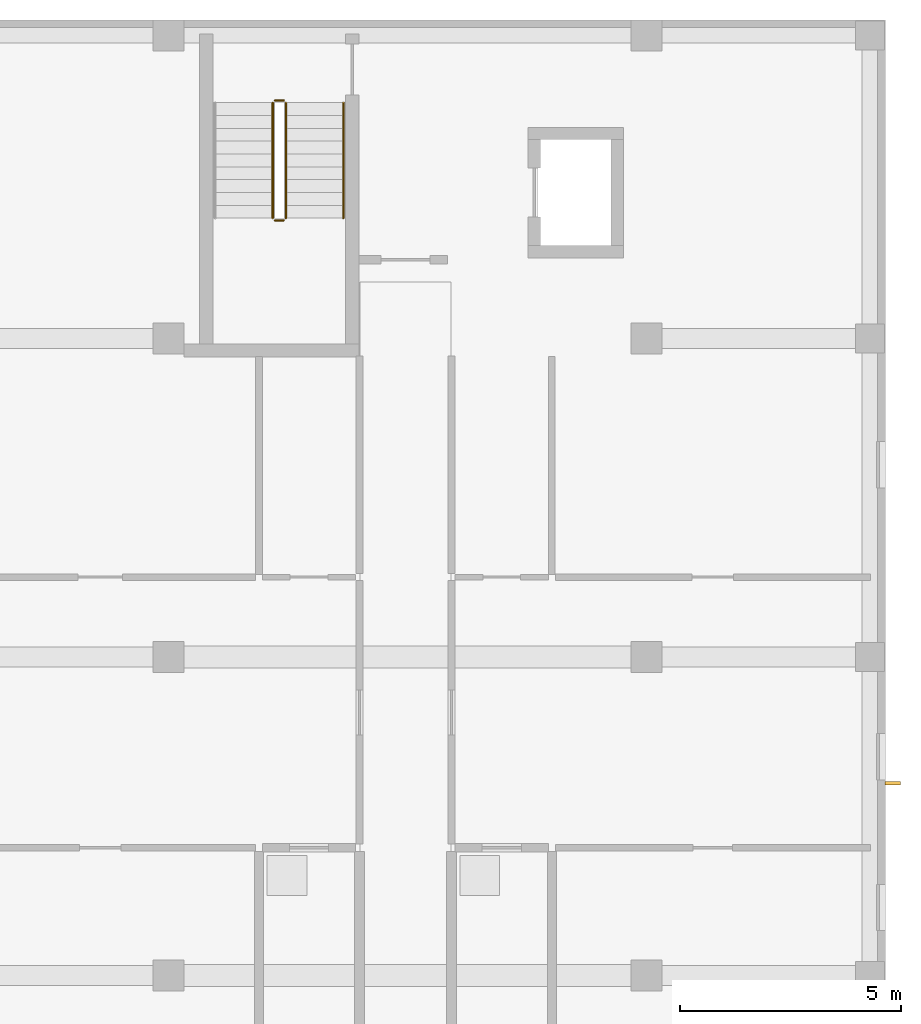
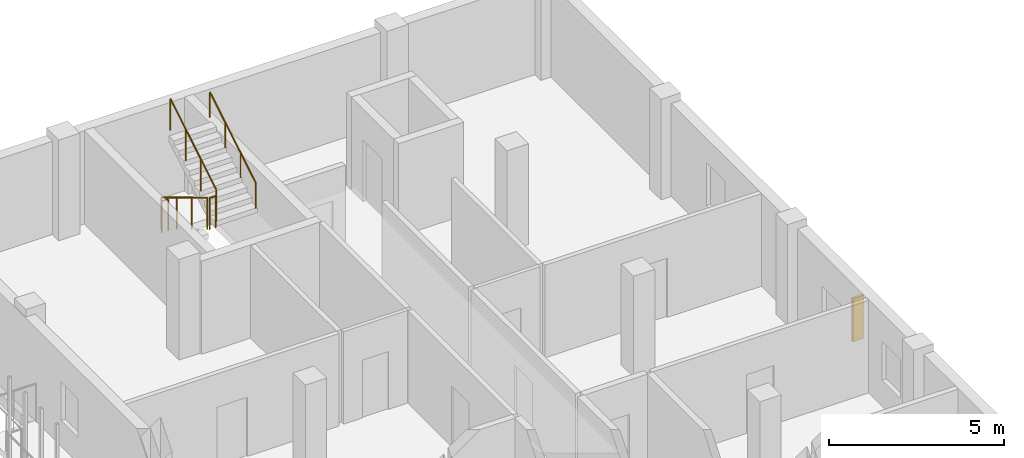
# One storey, part 71 of 73: 5 railings, 1 shading device.
"""IFC4 building model written with IfcOpenShell, lengths in metres."""

from ifc_helpers import new_model, si_unit, derived_unit, direction, frame, origin, origin_2d, place, context, subcontext, project, spatial, rectangle, circle, extrude, material, type_object, element, save


model = new_model("IFC4")

# Units and contexts
model_context = context("Model", 3, precision=1e-05, world=origin(), true_north=direction((0.0, 1.0)))
body_context = subcontext(model_context, "Body", "Model", "MODEL_VIEW")
ifc_project = project(units=[si_unit("LENGTHUNIT", "METRE"), si_unit("AREAUNIT", "SQUARE_METRE"), si_unit("VOLUMEUNIT", "CUBIC_METRE"), si_unit("PLANEANGLEUNIT", "RADIAN"), si_unit("MASSUNIT", "GRAM", prefix="KILO"), derived_unit("THERMALTRANSMITTANCEUNIT", [(si_unit("MASSUNIT", "GRAM", prefix="KILO"), 1), (si_unit("TIMEUNIT", "SECOND"), -3), (si_unit("THERMODYNAMICTEMPERATUREUNIT", "KELVIN"), -1)])], contexts=[model_context])

# Site, building, storey
site_placement = place(None, origin())
site = spatial("IfcSite", under=ifc_project, at=site_placement, CompositionType="ELEMENT")
building_placement = place(site_placement, origin())
building = spatial("IfcBuilding", under=site, at=building_placement, Name="Ochrekiln Boulevard Commons", CompositionType="ELEMENT")
storey_placement = place(building_placement, frame((0.0, 0.0, 8.574951171875)))
storey = spatial("IfcBuildingStorey", under=building, at=storey_placement, Name="L02", CompositionType="ELEMENT", Elevation=8.574951171875)

# Railings
ifc_material_1 = material(Name="Brushed stainless steel 316 tubular railing", Category="steel")
railing_type_1 = type_object("IfcRailingType", Name="RLG-HDR-900", PredefinedType="HANDRAIL", material=ifc_material_1)
railing_1_placement = place(storey_placement, frame((160.550048828125, 114.320068359375, 1.925048828125)))
element("IfcRailing", 1, at=railing_1_placement, inside=storey, type_object=railing_type_1, Name="L02 ST-B2 stair handrail 2", PredefinedType="HANDRAIL", context=body_context, shape_type="SweptSolid", body=[
    extrude(circle(Radius=0.02392578125, at=origin_2d()), frame((0.0, 0.0, 0.8759765625), z_axis=(0.0, 0.85618277418, 0.516673066065), x_axis=(-1.0, 0.0, 0.0)), (0.0, 0.0, 1.0), 3.04833984375),
    extrude(circle(Radius=0.02099609375, at=origin_2d()), origin(), (0.0, 0.0, 1.0), 0.851806640625),
    extrude(circle(Radius=0.02099609375, at=origin_2d()), frame((0.0, 0.869873046875, 0.52490234375)), (0.0, 0.0, 1.0), 0.851806640625),
    extrude(circle(Radius=0.02099609375, at=origin_2d()), frame((0.0, 1.739990234375, 1.050048828125)), (0.0, 0.0, 1.0), 0.851806640625),
    extrude(circle(Radius=0.02099609375, at=origin_2d()), frame((0.0, 2.60986328125, 1.574951171875)), (0.0, 0.0, 1.0), 0.851806640625),
])
railing_type_2 = type_object("IfcRailingType", Name="RLG-STR-1120", PredefinedType="BALUSTRADE", material=ifc_material_1)
railing_2_placement = place(storey_placement, frame((158.949951171875, 116.929931640625, 0.175048828125)))
element("IfcRailing", 2, at=railing_2_placement, inside=storey, type_object=railing_type_2, Name="L02 ST-B2 stair guard 1", PredefinedType="BALUSTRADE", context=body_context, shape_type="SweptSolid", body=[
    extrude(circle(Radius=0.02392578125, at=origin_2d()), frame((0.0, 0.0, 1.09619140625), z_axis=(0.0, -0.85618277418, 0.516673066065), x_axis=(1.0, 0.0, 0.0)), (0.0, 0.0, 1.0), 3.04833984375),
    extrude(circle(Radius=0.02099609375, at=origin_2d()), origin(), (0.0, 0.0, 1.0), 1.072021484375),
    extrude(circle(Radius=0.02099609375, at=origin_2d()), frame((0.0, -0.869873046875, 0.52490234375)), (0.0, 0.0, 1.0), 1.072021484375),
    extrude(circle(Radius=0.02099609375, at=origin_2d()), frame((0.0, -1.739990234375, 1.050048828125)), (0.0, 0.0, 1.0), 1.072021484375),
    extrude(circle(Radius=0.02099609375, at=origin_2d()), frame((0.0, -2.60986328125, 1.574951171875)), (0.0, 0.0, 1.0), 1.072021484375),
])
railing_3_placement = place(storey_placement, frame((159.0, 114.27001953125, 1.75)))
element("IfcRailing", 3, at=railing_3_placement, inside=storey, type_object=railing_type_2, Name="L02 ST-B2 stair guard 2", PredefinedType="BALUSTRADE", context=body_context, shape_type="SweptSolid", body=[
    extrude(circle(Radius=0.02392578125, at=origin_2d()), frame((0.0, 0.0, 1.09619140625), z_axis=(1.0, 0.0, 0.0), x_axis=(0.0, 1.0, 0.0)), (0.0, 0.0, 1.0), 0.199951171875),
    extrude(circle(Radius=0.02099609375, at=origin_2d()), origin(), (0.0, 0.0, 1.0), 1.072021484375),
    extrude(circle(Radius=0.02099609375, at=origin_2d()), frame((0.199951171875, 0.0, 0.0)), (0.0, 0.0, 1.0), 1.072021484375),
])
railing_4_placement = place(storey_placement, frame((159.25, 114.320068359375, 1.925048828125)))
element("IfcRailing", 4, at=railing_4_placement, inside=storey, type_object=railing_type_2, Name="L02 ST-B2 stair guard 3", PredefinedType="BALUSTRADE", context=body_context, shape_type="SweptSolid", body=[
    extrude(circle(Radius=0.02392578125, at=origin_2d()), frame((0.0, 0.0, 1.09619140625), z_axis=(0.0, 0.85618277418, 0.516673066065), x_axis=(-1.0, 0.0, 0.0)), (0.0, 0.0, 1.0), 3.04833984375),
    extrude(circle(Radius=0.02099609375, at=origin_2d()), origin(), (0.0, 0.0, 1.0), 1.072021484375),
    extrude(circle(Radius=0.02099609375, at=origin_2d()), frame((0.0, 0.869873046875, 0.52490234375)), (0.0, 0.0, 1.0), 1.072021484375),
    extrude(circle(Radius=0.02099609375, at=origin_2d()), frame((0.0, 1.739990234375, 1.050048828125)), (0.0, 0.0, 1.0), 1.072021484375),
    extrude(circle(Radius=0.02099609375, at=origin_2d()), frame((0.0, 2.60986328125, 1.574951171875)), (0.0, 0.0, 1.0), 1.072021484375),
])
railing_5_placement = place(storey_placement, frame((159.0, 116.97998046875, 0.0)))
element("IfcRailing", 5, at=railing_5_placement, inside=storey, type_object=railing_type_2, Name="L02 ST-B2 stair guard 4", PredefinedType="BALUSTRADE", context=body_context, shape_type="SweptSolid", body=[
    extrude(circle(Radius=0.02392578125, at=origin_2d()), frame((0.0, 0.0, 1.09619140625), z_axis=(1.0, 0.0, 0.0), x_axis=(0.0, 1.0, 0.0)), (0.0, 0.0, 1.0), 0.199951171875),
    extrude(circle(Radius=0.02099609375, at=origin_2d()), origin(), (0.0, 0.0, 1.0), 1.072021484375),
    extrude(circle(Radius=0.02099609375, at=origin_2d()), frame((0.199951171875, 0.0, 0.0)), (0.0, 0.0, 1.0), 1.072021484375),
])

# Shading device
ifc_material_2 = material(Name="Glazed architectural terracotta ASTM C1405", Category="masonry")
shading_device_type = type_object("IfcShadingDeviceType", Name="SHD-FIN-TERRA", PredefinedType="JALOUSIE", material=ifc_material_2)
shading_device_placement = place(storey_placement, frame((172.969970703125, 101.544921875, 0.75), z_axis=(0.0, 0.0, 1.0), x_axis=(1.0, 0.0, 0.0)))
element("IfcShadingDevice", 6, at=shading_device_placement, inside=storey, type_object=shading_device_type, Name="Terracotta Solar Shading Fin SF-01 (31)", PredefinedType="JALOUSIE", context=body_context, shape_type="SweptSolid", body=[
    extrude(rectangle(XDim=0.35009765625, YDim=0.080078125, at=origin_2d()), origin(), (0.0, 0.0, 1.0), 1.5),
])

save(model, "model.ifc")
